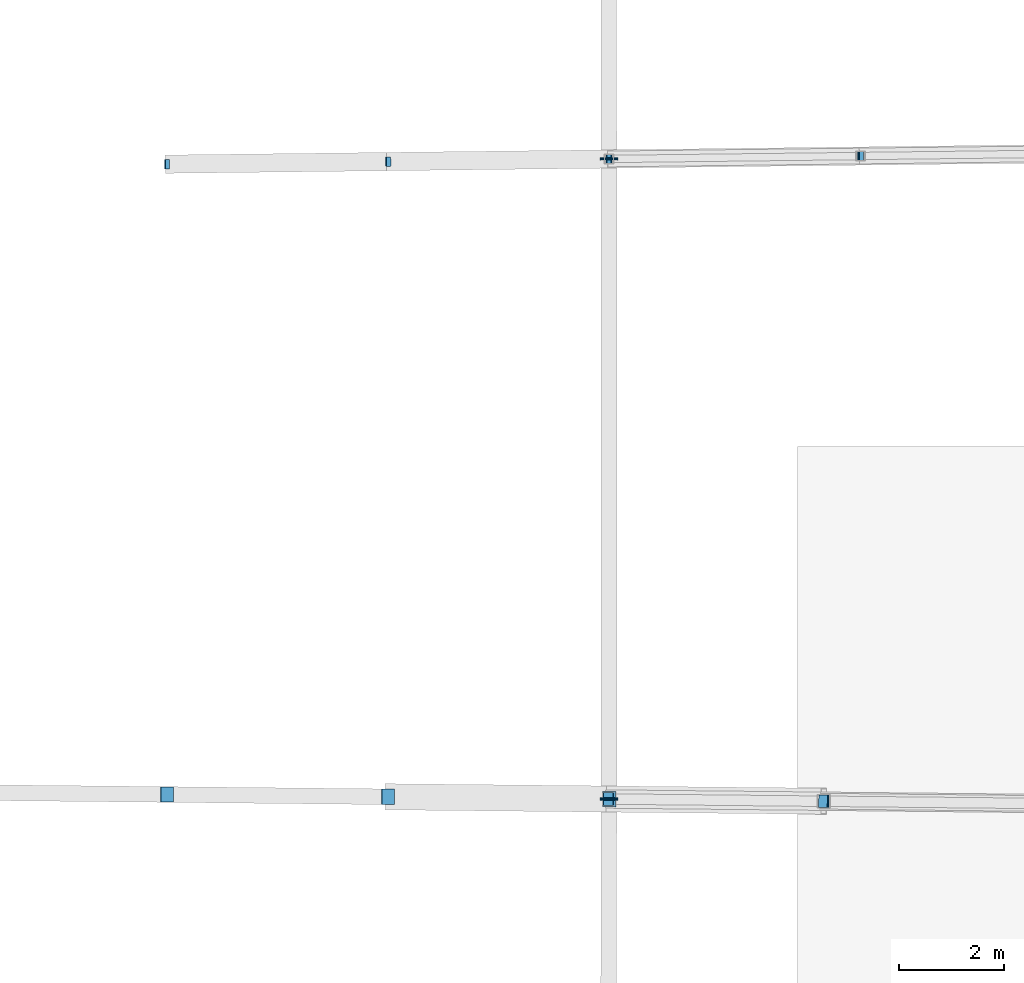
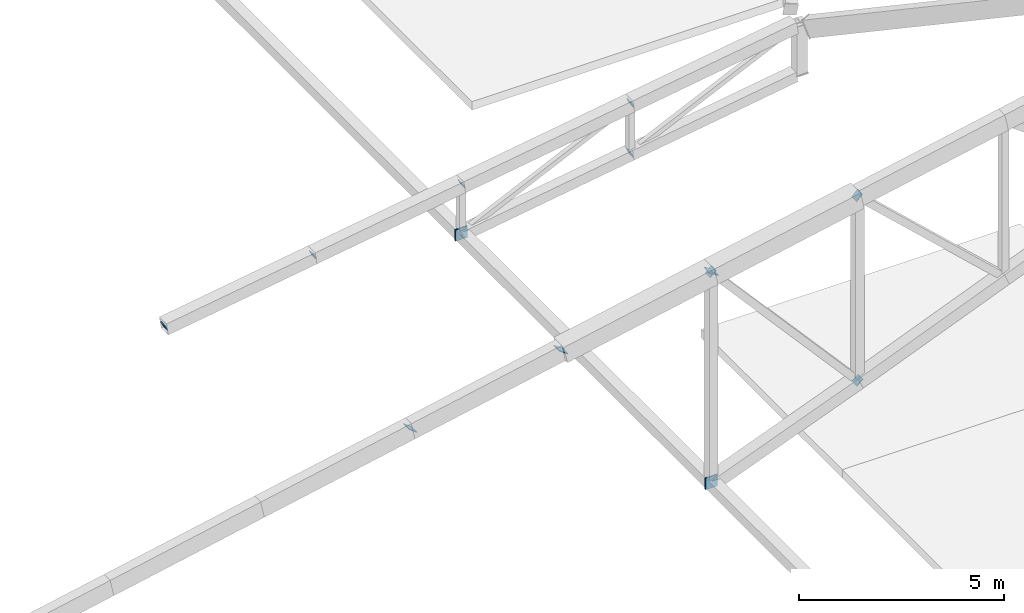
# One storey, part 153 of 188: 16 discrete accessories.
"""IFC4 building model written with IfcOpenShell, lengths in metres."""

import ifcopenshell
import ifcopenshell.guid

model = None  # the IFC model being written
_history = None  # IfcOwnerHistory: only IFC2X3 demands one
_inside = {}  # id of a spatial element -> (the spatial element, [elements in it])
_under = {}  # id of a project, library or spatial element -> (it, [spatial elements below it])
_declared = {}  # id of a project -> (the project, [libraries it declares])
_typed = {}  # id of a type object -> (the type object, [elements of that type])
_made_of = {}  # id of a material, layer set ... -> (it, [elements and type objects made of it])


def new_model(schema):
    """Start an empty IFC model of exactly this schema.

    Asked for "IFC4X3", IfcOpenShell would pick the latest addendum, in which some entities
    have other attributes; the version numbers below select the first issue.
    IFC2X3 requires an IfcOwnerHistory on every rooted entity: one is made here for all.
    """
    global model, _history
    if schema == "IFC4X3":
        model = ifcopenshell.file(schema_version=(4, 3, 0, 0))
    else:
        model = ifcopenshell.file(schema=schema)
    _inside.clear()
    _under.clear()
    _declared.clear()
    _typed.clear()
    _made_of.clear()
    _history = None
    if model.schema == "IFC2X3":
        org = make("IfcOrganization", Name="unknown")
        user = make(
            "IfcPersonAndOrganization",
            ThePerson=make("IfcPerson", FamilyName="unknown"),
            TheOrganization=org,
        )
        app = make(
            "IfcApplication",
            ApplicationDeveloper=org,
            Version="unknown",
            ApplicationFullName="unknown",
            ApplicationIdentifier="unknown",
        )
        _history = make(
            "IfcOwnerHistory",
            OwningUser=user,
            OwningApplication=app,
            ChangeAction="ADDED",
            CreationDate=0,
        )
    return model


def make(cls, **values):
    """One entity of the class cls with the attributes given. An attribute that is None is left unset."""
    return model.create_entity(
        cls, **{name: value for name, value in values.items() if value is not None}
    )


def rooted(cls, **values):
    """An entity with a GlobalId (a new one), such as an element, a storey or a relation."""
    return make(cls, GlobalId=ifcopenshell.guid.new(), OwnerHistory=_history, **values)


def si_unit(unit_type, name, prefix=None):
    """IfcSIUnit, for example si_unit("LENGTHUNIT", "METRE", prefix="MILLI")."""
    return make("IfcSIUnit", UnitType=unit_type, Prefix=prefix, Name=name)


def assignment(units):
    """IfcUnitAssignment: the units of a project."""
    return None if units is None else make("IfcUnitAssignment", Units=units)


def point(xyz):
    """IfcCartesianPoint."""
    return None if xyz is None else make("IfcCartesianPoint", Coordinates=xyz)


def direction(xyz):
    """IfcDirection."""
    return None if xyz is None else make("IfcDirection", DirectionRatios=xyz)


def frame(location, z_axis=None, x_axis=None):
    """IfcAxis2Placement3D, a coordinate frame: its origin and axes. An axis left out is left unset."""
    return make(
        "IfcAxis2Placement3D",
        Location=point(location),
        Axis=direction(z_axis),
        RefDirection=direction(x_axis),
    )


def frame_2d(location, x_axis=None):
    """IfcAxis2Placement2D, a coordinate frame in the plane: its origin and x axis."""
    return make(
        "IfcAxis2Placement2D", Location=point(location), RefDirection=direction(x_axis)
    )


def origin():
    """The frame at (0, 0, 0) with its axes left unset."""
    return frame((0.0, 0.0, 0.0))


def origin_2d():
    """The frame at (0, 0) in the plane with its x axis left unset."""
    return frame_2d((0.0, 0.0))


def place(relative_to, where):
    """IfcLocalPlacement: puts the frame where relative to a parent placement (None: the world)."""
    return make(
        "IfcLocalPlacement", PlacementRelTo=relative_to, RelativePlacement=where
    )


def context(
    kind, dimensions, precision=None, world=None, true_north=None, identifier=None
):
    """IfcGeometricRepresentationContext, for example the 3D "Model" context."""
    return make(
        "IfcGeometricRepresentationContext",
        ContextIdentifier=identifier,
        ContextType=kind,
        CoordinateSpaceDimension=dimensions,
        Precision=precision,
        WorldCoordinateSystem=world,
        TrueNorth=true_north,
    )


def subcontext(parent, identifier, kind, view, scale=None):
    """IfcGeometricRepresentationSubContext, for example "Body" below "Model"."""
    return make(
        "IfcGeometricRepresentationSubContext",
        ContextIdentifier=identifier,
        ContextType=kind,
        ParentContext=parent,
        TargetScale=scale,
        TargetView=view,
    )


def project(units=None, contexts=None):
    """IfcProject with its units and contexts."""
    return rooted(
        "IfcProject",
        Name="project",
        RepresentationContexts=contexts,
        UnitsInContext=assignment(units),
    )


def spatial(cls, under=None, at=None, **own):
    """A site, building, storey or space (cls), placed at a placement, below another one or the project."""
    s = rooted(cls, ObjectPlacement=at, **own)
    if under is not None:
        _under.setdefault(under.id(), (under, []))[1].append(s)
    return s


def profile(cls, at=None, kind="AREA", **sizes):
    """A parametric profile (cls). Its sizes go by their IFC names, for example OverallWidth=200.0."""
    return make(cls, ProfileType=kind, Position=at, **sizes)


def rectangle(**sizes):
    """IfcRectangleProfileDef."""
    return profile("IfcRectangleProfileDef", **sizes)


def extrude(swept, where, along, depth):
    """IfcExtrudedAreaSolid: the profile swept, set in the frame where, extruded along a direction by depth."""
    return make(
        "IfcExtrudedAreaSolid",
        SweptArea=swept,
        Position=where,
        ExtrudedDirection=direction(along),
        Depth=depth,
    )


def shape(context_of_items, identifier, shape_type, items):
    """IfcShapeRepresentation: the items that make up one representation, for example the "Body"."""
    return make(
        "IfcShapeRepresentation",
        ContextOfItems=context_of_items,
        RepresentationIdentifier=identifier,
        RepresentationType=shape_type,
        Items=items,
    )


def material(Name=None, Category=None):
    """IfcMaterial."""
    return make("IfcMaterial", Name=Name, Category=Category)


def material_profile(
    of_material, cross_section, Name=None, Category=None, Priority=None
):
    """IfcMaterialProfile: a cross section and its material."""
    return make(
        "IfcMaterialProfile",
        Name=Name,
        Material=of_material,
        Profile=cross_section,
        Priority=Priority,
        Category=Category,
    )


def profile_set(profiles, Name=None, composite=None):
    """IfcMaterialProfileSet."""
    return make(
        "IfcMaterialProfileSet",
        Name=Name,
        MaterialProfiles=profiles,
        CompositeProfile=composite,
    )


def made_of(thing, what):
    """Note that an element or type object is made of a material, layer set ...; save() writes the relation."""
    if what is not None:
        _made_of.setdefault(what.id(), (what, []))[1].append(thing)
    return thing


def type_object(cls, material=None, **own):
    """A type object (cls), such as IfcWallType, which elements share."""
    return made_of(rooted(cls, **own), material)


def element(
    cls,
    number,
    at=None,
    inside=None,
    cuts=None,
    type_object=None,
    material=None,
    context=None,
    identifier="Body",
    shape_type=None,
    held_by="IfcProductDefinitionShape",
    body=None,
    shapes=None,
    **own,
):
    """One element of the class cls, such as IfcWall. Its Tag is "e" and its number.

    at: its placement. inside: the storey or other place that contains it. cuts: it is an
    opening in that element (IfcRelVoidsElement). A single representation is given by context,
    identifier, shape_type and body (its items); several are given by shapes. held_by: the class
    of the entity that holds the representations. save() writes the other relations.
    """
    e = rooted(cls, Tag="e%d" % number, ObjectPlacement=at, **own)
    if body is not None:
        shapes = [shape(context, identifier, shape_type, body)]
    if shapes is not None:
        e.Representation = make(held_by, Representations=shapes)
    if inside is not None:
        _inside.setdefault(inside.id(), (inside, []))[1].append(e)
    if cuts is not None:
        rooted(
            "IfcRelVoidsElement", RelatingBuildingElement=cuts, RelatedOpeningElement=e
        )
    if type_object is not None:
        _typed.setdefault(type_object.id(), (type_object, []))[1].append(e)
    return made_of(e, material)


def aggregate(whole, parts):
    """IfcRelAggregates: a whole, such as a stair, and the parts it consists of."""
    return rooted("IfcRelAggregates", RelatingObject=whole, RelatedObjects=parts)


def save(model, path):
    """Write the relations noted so far, then the file.

    IfcRelAggregates (storeys below a building ...), IfcRelContainedInSpatialStructure (elements
    in a storey), IfcRelDefinesByType, IfcRelAssociatesMaterial and IfcRelDeclares: one each for
    every whole, place, type object, material and project.
    """
    for whole, parts in _under.values():
        aggregate(whole, parts)
    for where, things in _inside.values():
        rooted(
            "IfcRelContainedInSpatialStructure",
            RelatedElements=things,
            RelatingStructure=where,
        )
    for kind, things in _typed.values():
        rooted("IfcRelDefinesByType", RelatedObjects=things, RelatingType=kind)
    for what, things in _made_of.values():
        rooted("IfcRelAssociatesMaterial", RelatedObjects=things, RelatingMaterial=what)
    for by, libraries in _declared.values():
        rooted("IfcRelDeclares", RelatingContext=by, RelatedDefinitions=libraries)
    model.write(path)


model = new_model("IFC4")

# Units and contexts
model_context = context("Model", 3, precision=1e-05, world=origin(), true_north=direction((0.0, 1.0)))
body_context = subcontext(model_context, "Body", "Model", "MODEL_VIEW")
ifc_project = project(units=[si_unit("LENGTHUNIT", "METRE"), si_unit("AREAUNIT", "SQUARE_METRE"), si_unit("VOLUMEUNIT", "CUBIC_METRE"), si_unit("PLANEANGLEUNIT", "RADIAN"), si_unit("MASSUNIT", "GRAM", prefix="KILO")], contexts=[model_context])

# Site, building, storey
site_placement = place(None, origin())
site = spatial("IfcSite", under=ifc_project, at=site_placement, CompositionType="ELEMENT")
building_placement = place(site_placement, origin())
building = spatial("IfcBuilding", under=site, at=building_placement, Name="Meseta Stadium", CompositionType="ELEMENT")
storey_placement = place(building_placement, frame((0.0, 0.0, 30.0)))
storey = spatial("IfcBuildingStorey", under=building, at=storey_placement, Name="ROOF", CompositionType="ELEMENT", Elevation=30.0)

# Discrete accessories
ifc_material_1 = material(Name="Steel S355", Category="steel")
ifc_material_profile_1 = material_profile(ifc_material_1, rectangle(XDim=0.179931640625, YDim=0.179931640625, at=origin_2d()), Name="PL 180x180")
ifc_profile_set_1 = profile_set([ifc_material_profile_1], Name="Steel S355")
discrete_accessory_type_1 = type_object("IfcDiscreteAccessoryType", Name="End plate 180x180x20", PredefinedType="ANCHORPLATE", material=ifc_profile_set_1)
for number, where, z_axis, x_axis, name in (
    (1, (76.55322265625, 6.0380859375, 1.0517578125), (0.896870870578, 0.0, 0.44229248412), (0.0, 1.0, 0.0), "End plate of ROOF TRUSS RT-05 diagonal"),
    (2, (80.775146484375, 6.087646484375, 1.66455078125), (0.896803189872, 0.012284975204, 0.442259107334), (-0.013697345027, 0.999906186969, 0.0), "End plate of ROOF TRUSS RT-05 diagonal"),
):
    element("IfcDiscreteAccessory", number, at=place(storey_placement, frame(where, z_axis=z_axis, x_axis=x_axis)), inside=storey, type_object=discrete_accessory_type_1, Name=name, PredefinedType="ANCHORPLATE", context=body_context, shape_type="SweptSolid", body=[
        extrude(rectangle(XDim=0.179931640625, YDim=0.179931640625, at=origin_2d()), origin(), (0.0, 0.0, 1.0), 0.019775390625),
    ])
for number, where, z_axis, x_axis, name in (
    (3, (84.9970703125, 6.13720703125, 2.27734375), (0.891903506248, 0.01221785625, 0.452060681249), (-0.013697345027, 0.999906186969, 0.0), "End plate of ROOF TRUSS RT-05 diagonal"),
    (4, (84.978759765625, 6.136962890625, 0.791748046875), (0.910714750365, 0.012142863338, 0.412857353499), (-0.013332148306, 0.999911122961, 0.0), "End plate of ROOF TRUSS RT-05 diagonal"),
):
    element("IfcDiscreteAccessory", number, at=place(storey_placement, frame(where, z_axis=z_axis, x_axis=x_axis)), inside=storey, type_object=discrete_accessory_type_1, Name=name, PredefinedType="ANCHORPLATE", context=body_context, shape_type="SweptSolid", body=[
        extrude(rectangle(XDim=0.179931640625, YDim=0.179931640625, at=origin_2d()), origin(), (0.0, 0.0, 1.0), 0.02001953125),
    ])
discrete_accessory_1_placement = place(storey_placement, frame((89.798583984375, 6.193603515625, 2.974365234375), z_axis=(0.90860834471, 0.012278491145, 0.417468698921), x_axis=(-0.013512279797, 0.99990870498, 0.0)))
element("IfcDiscreteAccessory", 5, at=discrete_accessory_1_placement, inside=storey, type_object=discrete_accessory_type_1, Name="End plate of ROOF TRUSS RT-05 diagonal", PredefinedType="ANCHORPLATE", context=body_context, shape_type="SweptSolid", body=[
    extrude(rectangle(XDim=0.179931640625, YDim=0.179931640625, at=origin_2d()), origin(), (0.0, 0.0, 1.0), 0.019775390625),
])
discrete_accessory_2_placement = place(storey_placement, frame((89.7802734375, 6.193359375, 1.48876953125), z_axis=(0.910714750365, 0.012142863338, 0.412857353499), x_axis=(-0.013332148306, 0.999911122961, 0.0)))
element("IfcDiscreteAccessory", 6, at=discrete_accessory_2_placement, inside=storey, type_object=discrete_accessory_type_1, Name="End plate of ROOF TRUSS RT-05 diagonal", PredefinedType="ANCHORPLATE", context=body_context, shape_type="SweptSolid", body=[
    extrude(rectangle(XDim=0.179931640625, YDim=0.179931640625, at=origin_2d()), origin(), (0.0, 0.0, 1.0), 0.02001953125),
])
ifc_material_2 = material(Name="Steel S355", Category="steel")
ifc_material_profile_2 = material_profile(ifc_material_2, rectangle(XDim=0.239990234375, YDim=0.239990234375, at=origin_2d()), Name="PL 240x240")
ifc_profile_set_2 = profile_set([ifc_material_profile_2], Name="Steel S355")
discrete_accessory_type_2 = type_object("IfcDiscreteAccessoryType", Name="End plate 240x240x20", PredefinedType="ANCHORPLATE", material=ifc_profile_set_2)
discrete_accessory_3_placement = place(storey_placement, frame((84.984375, -6.081298828125, 7.079833984375), z_axis=(0.662838691033, 0.0, -0.748762225055), x_axis=(0.0, 1.0, 0.0)))
element("IfcDiscreteAccessory", 7, at=discrete_accessory_3_placement, inside=storey, type_object=discrete_accessory_type_2, Name="End plate of ROOF TRUSS RT-04 diagonal", PredefinedType="ANCHORPLATE", context=body_context, shape_type="SweptSolid", body=[
    extrude(rectangle(XDim=0.239990234375, YDim=0.239990234375, at=origin_2d()), origin(), (0.0, 0.0, 1.0), 0.019775390625),
])
for number, where, z_axis, x_axis, name in (
    (8, (89.09814453125, -6.12353515625, 2.423828125), (0.669587495153, -0.012174318094, -0.742633403715), (0.018178813668, 0.999834751713, 0.0), "End plate of ROOF TRUSS RT-04 diagonal"),
    (9, (89.08349609375, -6.123291015625, 7.9375), (0.731001009493, -0.012183350158, -0.68226760886), (0.016664352334, 0.99986114004, 0.0), "End plate of ROOF TRUSS RT-04 diagonal"),
):
    element("IfcDiscreteAccessory", number, at=place(storey_placement, frame(where, z_axis=z_axis, x_axis=x_axis)), inside=storey, type_object=discrete_accessory_type_2, Name=name, PredefinedType="ANCHORPLATE", context=body_context, shape_type="SweptSolid", body=[
        extrude(rectangle(XDim=0.239990234375, YDim=0.239990234375, at=origin_2d()), origin(), (0.0, 0.0, 1.0), 0.02001953125),
    ])
ifc_material_3 = material(Name="Steel S355", Category="steel")
ifc_material_profile_3 = material_profile(ifc_material_3, rectangle(XDim=0.2900390625, YDim=0.2900390625, at=origin_2d()), Name="PL 290x290")
ifc_profile_set_3 = profile_set([ifc_material_profile_3], Name="Steel S355")
discrete_accessory_type_3 = type_object("IfcDiscreteAccessoryType", Name="End plate 290x290x20", PredefinedType="ANCHORPLATE", material=ifc_profile_set_3)
for number, where, z_axis, x_axis, name in (
    (10, (76.5537109375, -5.99462890625, 5.2958984375), (0.601963784982, 0.0, 0.798523388242), (0.0, 1.0, 0.0), "End plate of ROOF TRUSS RT-04 diagonal"),
    (11, (80.775634765625, -6.0380859375, 6.180419921875), (0.566006502692, 0.0, 0.824400775661), (0.0, 1.0, 0.0), "End plate of ROOF TRUSS RT-04 diagonal"),
):
    element("IfcDiscreteAccessory", number, at=place(storey_placement, frame(where, z_axis=z_axis, x_axis=x_axis)), inside=storey, type_object=discrete_accessory_type_3, Name=name, PredefinedType="ANCHORPLATE", context=body_context, shape_type="SweptSolid", body=[
        extrude(rectangle(XDim=0.2900390625, YDim=0.2900390625, at=origin_2d()), origin(), (0.0, 0.0, 1.0), 0.019775390625),
    ])
discrete_accessory_4_placement = place(storey_placement, frame((84.99755859375, -6.081298828125, 7.06494140625), z_axis=(0.537625803814, -0.012218768269, 0.843095010527), x_axis=(0.022721405353, 0.999741835545, 0.0)))
element("IfcDiscreteAccessory", 12, at=discrete_accessory_4_placement, inside=storey, type_object=discrete_accessory_type_3, Name="End plate of ROOF TRUSS RT-04 diagonal", PredefinedType="ANCHORPLATE", context=body_context, shape_type="SweptSolid", body=[
    extrude(rectangle(XDim=0.2900390625, YDim=0.2900390625, at=origin_2d()), origin(), (0.0, 0.0, 1.0), 0.02001953125),
])
ifc_material_4 = material(Name="Steel S355", Category="steel")
ifc_material_profile_4 = material_profile(ifc_material_4, rectangle(XDim=0.340087890625, YDim=0.340087890625, at=origin_2d()), Name="PL 340x340")
ifc_profile_set_4 = profile_set([ifc_material_profile_4], Name="Steel S355")
discrete_accessory_type_4 = type_object("IfcDiscreteAccessoryType", Name="End plate 340x340x20", PredefinedType="ANCHORPLATE", material=ifc_profile_set_4)
for number, where, z_axis, x_axis, name in (
    (13, (84.99755859375, -6.081298828125, 0.800048828125), (0.0, 1.0, 0.0), (-1.0, 0.0, 0.0), "End plate of ROOF PIVOT STRUT RT-03/04"),
    (14, (84.99755859375, -6.101318359375, 0.800048828125), (0.0, 1.0, 0.0), (-1.0, 0.0, 0.0), "End plate of ROOF PIVOT STRUT RT-04/05"),
    (15, (84.9970703125, 6.13720703125, 0.800048828125), (0.0, 1.0, 0.0), (-1.0, 0.0, 0.0), "End plate of ROOF PIVOT STRUT RT-04/05"),
    (16, (84.9970703125, 6.1171875, 0.7998046875), (0.0, 0.999925647793, 0.012194215217), (-1.0, 0.0, 0.0), "End plate of ROOF PIVOT STRUT RT-05/06"),
):
    element("IfcDiscreteAccessory", number, at=place(storey_placement, frame(where, z_axis=z_axis, x_axis=x_axis)), inside=storey, type_object=discrete_accessory_type_4, Name=name, PredefinedType="ANCHORPLATE", context=body_context, shape_type="SweptSolid", body=[
        extrude(rectangle(XDim=0.340087890625, YDim=0.340087890625, at=origin_2d()), origin(), (0.0, 0.0, 1.0), 0.02001953125),
    ])

save(model, "model.ifc")
